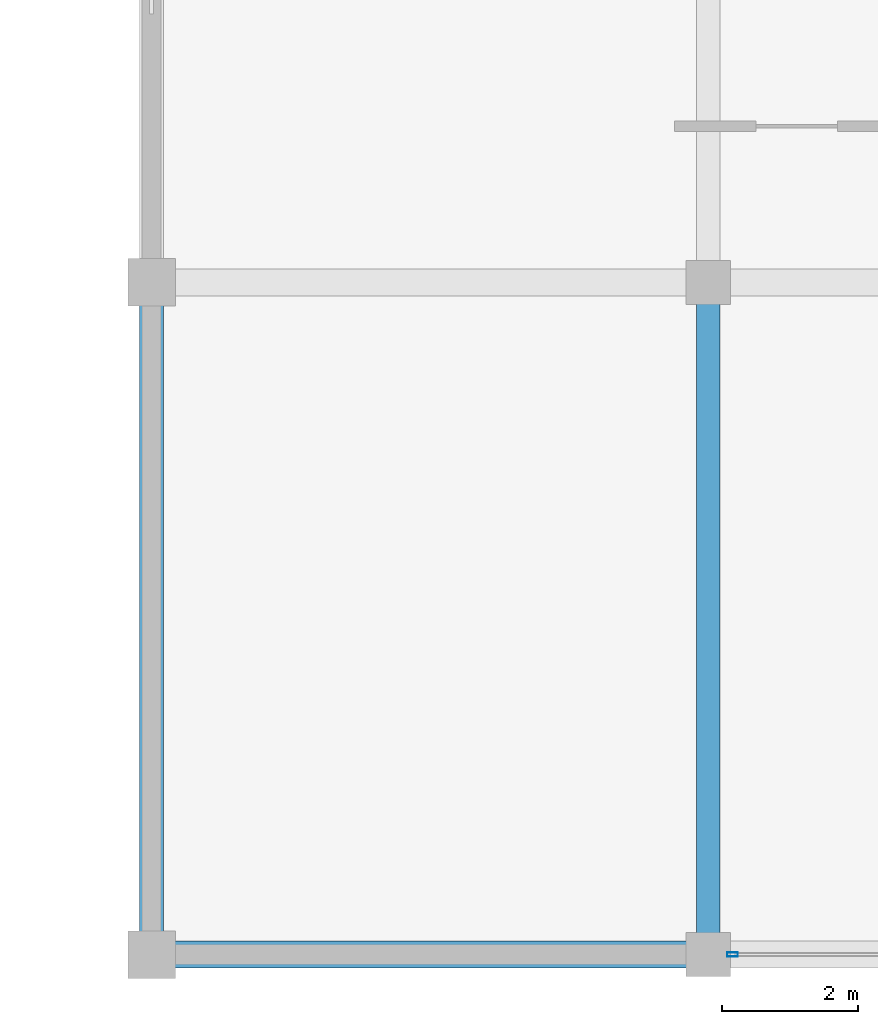
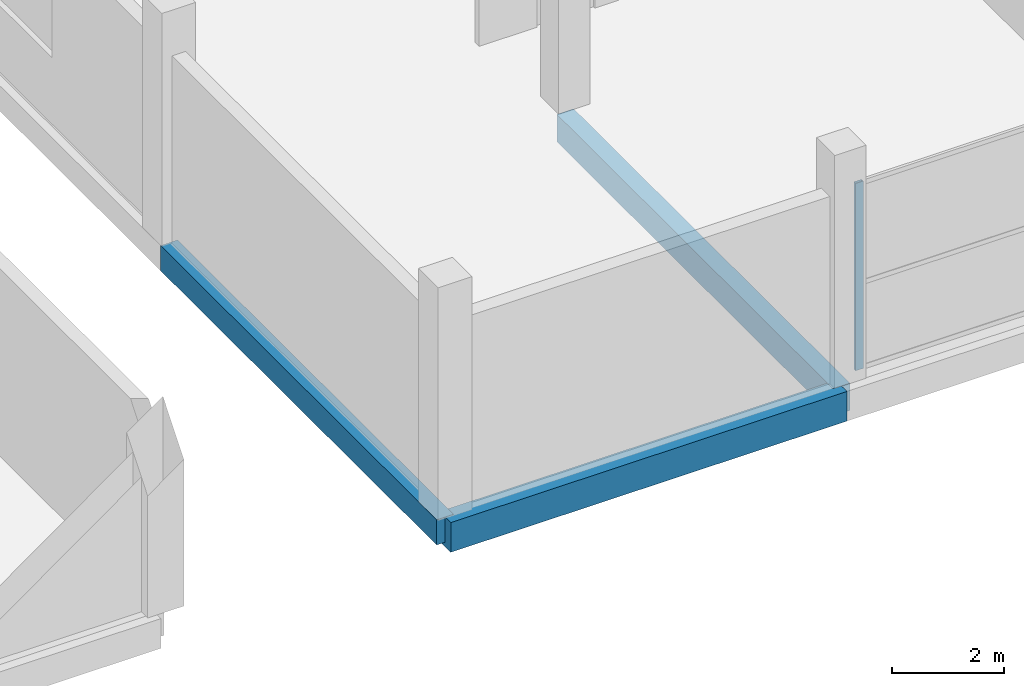
# One storey, part 11 of 67: 3 beams, 1 member, 1 element without a shape of its own.
"""IFC4 building model written with IfcOpenShell, lengths in metres."""

from ifc_helpers import new_model, si_unit, direction, frame, origin, origin_2d, place, context, subcontext, project, spatial, rectangle, hollow_rectangle, extrude, material, layer, layer_set, material_profile, profile_set, type_object, element, aggregate, save


model = new_model("IFC4")

# Units and contexts
model_context = context("Model", 3, precision=1e-05, world=origin(), true_north=direction((0.0, 1.0)))
body_context = subcontext(model_context, "Body", "Model", "MODEL_VIEW")
ifc_project = project(units=[si_unit("LENGTHUNIT", "METRE"), si_unit("AREAUNIT", "SQUARE_METRE"), si_unit("VOLUMEUNIT", "CUBIC_METRE"), si_unit("PLANEANGLEUNIT", "RADIAN"), si_unit("MASSUNIT", "GRAM", prefix="KILO")], contexts=[model_context])

# Site, building, storey
site_placement = place(None, origin())
site = spatial("IfcSite", under=ifc_project, at=site_placement, CompositionType="ELEMENT")
building_placement = place(site_placement, origin())
building = spatial("IfcBuilding", under=site, at=building_placement, Name="Sillaruma Civic Art Gallery", CompositionType="ELEMENT")
storey_placement = place(building_placement, frame((0.0, 0.0, 46.919921875)))
storey = spatial("IfcBuildingStorey", under=building, at=storey_placement, Name="L09", CompositionType="ELEMENT", Elevation=46.919921875)

# Beams
ifc_material_1 = material(Name="Concrete H35 (35 MPa)", Category="concrete")
ifc_material_profile_1 = material_profile(ifc_material_1, rectangle(XDim=0.35009765625, YDim=0.60009765625, at=origin_2d()), Name="RCB350x600")
ifc_profile_set_1 = profile_set([ifc_material_profile_1], Name="Concrete H35 (35 MPa)")
beam_type_1 = type_object("IfcBeamType", Name="BM-BEAM-RCB350x600", PredefinedType="BEAM", material=ifc_profile_set_1)
beam_1_placement = place(storey_placement, frame((106.199951171875, 19.800048828125, -0.5498046875), z_axis=(0.0, 1.0, 0.0), x_axis=(-1.0, 0.0, 0.0)))
element("IfcBeam", 1, at=beam_1_placement, inside=storey, type_object=beam_type_1, Name="Beam BM-06 (L08:M:3-4)", PredefinedType="BEAM", context=body_context, shape_type="SweptSolid", body=[
    extrude(rectangle(XDim=0.35009765625, YDim=0.60009765625, at=origin_2d()), origin(), (0.0, 0.0, 1.0), 9.89990234375),
])
ifc_material_profile_2 = material_profile(ifc_material_1, rectangle(XDim=0.35009765625, YDim=0.550048828125, at=origin_2d()), Name="RCB350x550")
ifc_profile_set_2 = profile_set([ifc_material_profile_2], Name="Concrete H35 (35 MPa)")
beam_type_2 = type_object("IfcBeamType", Name="BM-SPANDREL-RCB350x550", PredefinedType="SPANDREL", material=ifc_profile_set_2)
beam_2_placement = place(storey_placement, frame((98.0, 19.800048828125, -0.52490234375), z_axis=(0.0, 1.0, 0.0), x_axis=(-1.0, 0.0, 0.0)))
element("IfcBeam", 2, at=beam_2_placement, inside=storey, type_object=beam_type_2, Name="Beam BS-04 (L08:L:3-4)", PredefinedType="SPANDREL", context=body_context, shape_type="SweptSolid", body=[
    extrude(rectangle(XDim=0.35009765625, YDim=0.550048828125, at=origin_2d()), origin(), (0.0, 0.0, 1.0), 9.89990234375),
])
ifc_material_profile_3 = material_profile(ifc_material_1, rectangle(XDim=0.39990234375, YDim=0.64990234375, at=origin_2d()), Name="RCB400x650")
ifc_profile_set_3 = profile_set([ifc_material_profile_3], Name="Concrete H35 (35 MPa)")
beam_type_3 = type_object("IfcBeamType", Name="BM-SPANDREL-RCB400x650", PredefinedType="SPANDREL", material=ifc_profile_set_3)
beam_3_placement = place(storey_placement, frame((98.0, 19.800048828125, -0.574951171875), z_axis=(1.0, 0.0, 0.0), x_axis=(0.0, 1.0, 0.0)))
element("IfcBeam", 3, at=beam_3_placement, inside=storey, type_object=beam_type_3, Name="Beam BS-02 (L08:3:L-M)", PredefinedType="SPANDREL", context=body_context, shape_type="SweptSolid", body=[
    extrude(rectangle(XDim=0.39990234375, YDim=0.64990234375, at=origin_2d()), origin(), (0.0, 0.0, 1.0), 8.199951171875),
])

# Curtain wall, member
ifc_material_2 = material(Name="Thermally Broken Extruded Aluminium 6063-T6", Category="aluminium")
ifc_layer = layer(ifc_material_2, 0.159912109375, Name="Thermally Broken Extruded Aluminium 6063-T6")
ifc_layer_set = layer_set([ifc_layer], Name="Thermally Broken Extruded Aluminium 6063-T6")
curtain_wall_type = type_object("IfcCurtainWallType", Name="CW-UNI-74", PredefinedType="NOTDEFINED", material=ifc_layer_set)
curtain_wall_placement = place(storey_placement, origin())
curtain_wall = element("IfcCurtainWall", 4, at=curtain_wall_placement, inside=storey, type_object=curtain_wall_type, Name="Unitised Curtain Wall CW-74 (CW-L09-EBS-2)", PredefinedType="NOTDEFINED")
ifc_material_profile_4 = material_profile(ifc_material_2, hollow_rectangle(XDim=0.06494140625, YDim=0.159912109375, WallThickness=0.00390625, at=origin_2d()), Name="CWM65x160")
ifc_profile_set_4 = profile_set([ifc_material_profile_4], Name="Thermally Broken Extruded Aluminium 6063-T6")
member_type = type_object("IfcMemberType", Name="MEM-MUL-CWM65x160", PredefinedType="MULLION", material=ifc_profile_set_4)
member_placement = place(storey_placement, frame((106.5576171875, 19.800048828125, 0.0), z_axis=(0.0, 0.0, 1.0), x_axis=(0.0, 1.0, 0.0)))
member = element("IfcMember", 5, at=member_placement, type_object=member_type, Name="CW-74 mullion 1", PredefinedType="MULLION", context=body_context, shape_type="SweptSolid", body=[
    extrude(hollow_rectangle(XDim=0.06494140625, YDim=0.159912109375, WallThickness=0.00390625, at=origin_2d()), origin(), (0.0, 0.0, 1.0), 4.10009765625),
])
aggregate(curtain_wall, [member])

save(model, "model.ifc")
